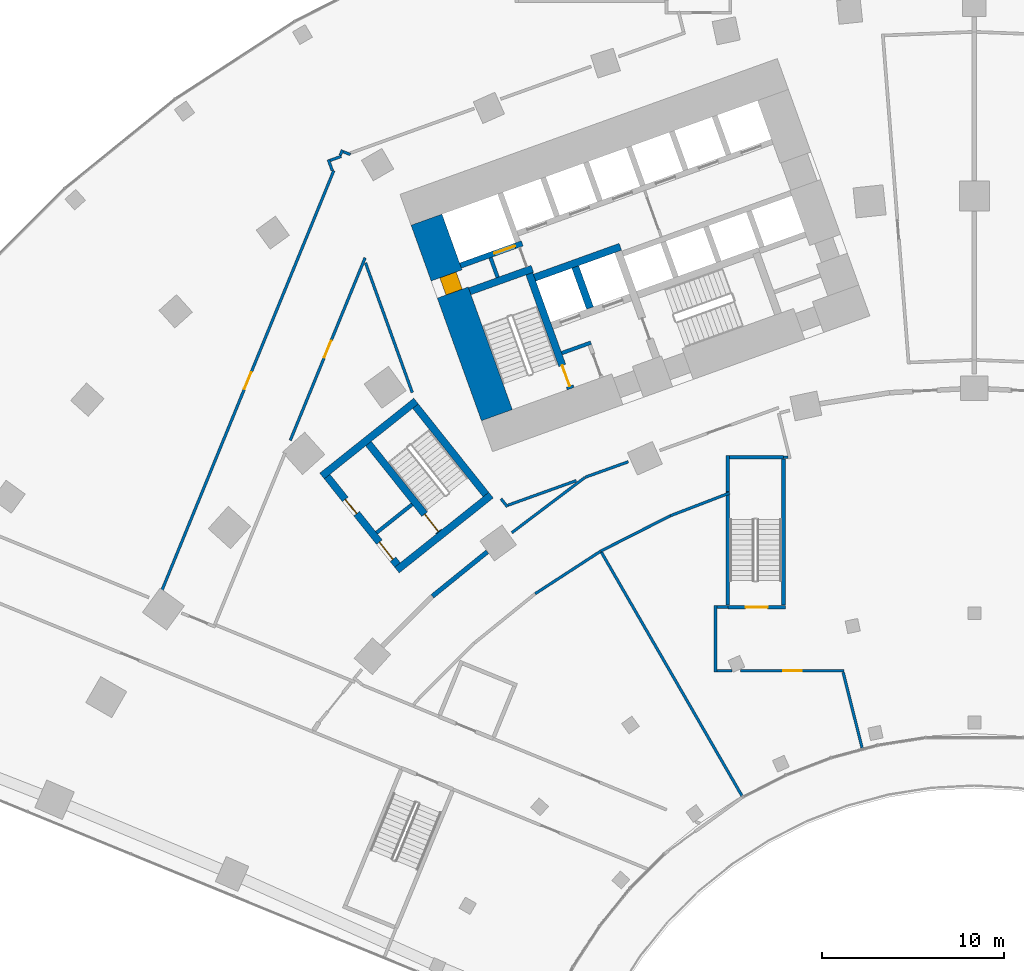
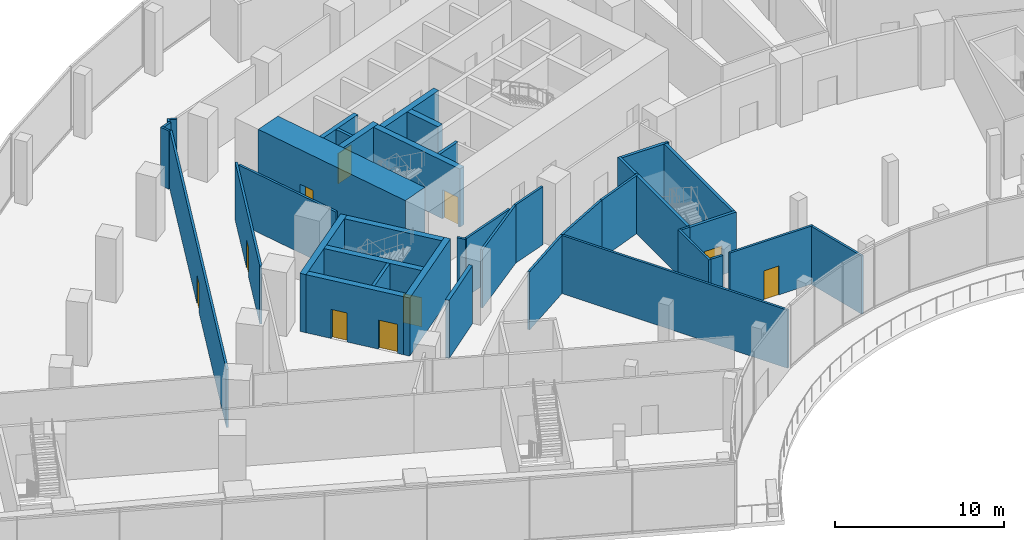
# One storey, part 22 of 39: 41 walls, 10 doors, 10 openings.
"""IFC4 building model written with IfcOpenShell, lengths in metres."""

import ifcopenshell
import ifcopenshell.guid

model = None  # the IFC model being written
_history = None  # IfcOwnerHistory: only IFC2X3 demands one
_inside = {}  # id of a spatial element -> (the spatial element, [elements in it])
_under = {}  # id of a project, library or spatial element -> (it, [spatial elements below it])
_declared = {}  # id of a project -> (the project, [libraries it declares])
_typed = {}  # id of a type object -> (the type object, [elements of that type])
_made_of = {}  # id of a material, layer set ... -> (it, [elements and type objects made of it])


def new_model(schema):
    """Start an empty IFC model of exactly this schema.

    Asked for "IFC4X3", IfcOpenShell would pick the latest addendum, in which some entities
    have other attributes; the version numbers below select the first issue.
    IFC2X3 requires an IfcOwnerHistory on every rooted entity: one is made here for all.
    """
    global model, _history
    if schema == "IFC4X3":
        model = ifcopenshell.file(schema_version=(4, 3, 0, 0))
    else:
        model = ifcopenshell.file(schema=schema)
    _inside.clear()
    _under.clear()
    _declared.clear()
    _typed.clear()
    _made_of.clear()
    _history = None
    if model.schema == "IFC2X3":
        org = make("IfcOrganization", Name="unknown")
        user = make(
            "IfcPersonAndOrganization",
            ThePerson=make("IfcPerson", FamilyName="unknown"),
            TheOrganization=org,
        )
        app = make(
            "IfcApplication",
            ApplicationDeveloper=org,
            Version="unknown",
            ApplicationFullName="unknown",
            ApplicationIdentifier="unknown",
        )
        _history = make(
            "IfcOwnerHistory",
            OwningUser=user,
            OwningApplication=app,
            ChangeAction="ADDED",
            CreationDate=0,
        )
    return model


def make(cls, **values):
    """One entity of the class cls with the attributes given. An attribute that is None is left unset."""
    return model.create_entity(
        cls, **{name: value for name, value in values.items() if value is not None}
    )


def rooted(cls, **values):
    """An entity with a GlobalId (a new one), such as an element, a storey or a relation."""
    return make(cls, GlobalId=ifcopenshell.guid.new(), OwnerHistory=_history, **values)


def si_unit(unit_type, name, prefix=None):
    """IfcSIUnit, for example si_unit("LENGTHUNIT", "METRE", prefix="MILLI")."""
    return make("IfcSIUnit", UnitType=unit_type, Prefix=prefix, Name=name)


def assignment(units):
    """IfcUnitAssignment: the units of a project."""
    return None if units is None else make("IfcUnitAssignment", Units=units)


def point(xyz):
    """IfcCartesianPoint."""
    return None if xyz is None else make("IfcCartesianPoint", Coordinates=xyz)


def direction(xyz):
    """IfcDirection."""
    return None if xyz is None else make("IfcDirection", DirectionRatios=xyz)


def frame(location, z_axis=None, x_axis=None):
    """IfcAxis2Placement3D, a coordinate frame: its origin and axes. An axis left out is left unset."""
    return make(
        "IfcAxis2Placement3D",
        Location=point(location),
        Axis=direction(z_axis),
        RefDirection=direction(x_axis),
    )


def frame_2d(location, x_axis=None):
    """IfcAxis2Placement2D, a coordinate frame in the plane: its origin and x axis."""
    return make(
        "IfcAxis2Placement2D", Location=point(location), RefDirection=direction(x_axis)
    )


def origin():
    """The frame at (0, 0, 0) with its axes left unset."""
    return frame((0.0, 0.0, 0.0))


def place(relative_to, where):
    """IfcLocalPlacement: puts the frame where relative to a parent placement (None: the world)."""
    return make(
        "IfcLocalPlacement", PlacementRelTo=relative_to, RelativePlacement=where
    )


def context(
    kind, dimensions, precision=None, world=None, true_north=None, identifier=None
):
    """IfcGeometricRepresentationContext, for example the 3D "Model" context."""
    return make(
        "IfcGeometricRepresentationContext",
        ContextIdentifier=identifier,
        ContextType=kind,
        CoordinateSpaceDimension=dimensions,
        Precision=precision,
        WorldCoordinateSystem=world,
        TrueNorth=true_north,
    )


def subcontext(parent, identifier, kind, view, scale=None):
    """IfcGeometricRepresentationSubContext, for example "Body" below "Model"."""
    return make(
        "IfcGeometricRepresentationSubContext",
        ContextIdentifier=identifier,
        ContextType=kind,
        ParentContext=parent,
        TargetScale=scale,
        TargetView=view,
    )


def project(units=None, contexts=None):
    """IfcProject with its units and contexts."""
    return rooted(
        "IfcProject",
        Name="project",
        RepresentationContexts=contexts,
        UnitsInContext=assignment(units),
    )


def spatial(cls, under=None, at=None, **own):
    """A site, building, storey or space (cls), placed at a placement, below another one or the project."""
    s = rooted(cls, ObjectPlacement=at, **own)
    if under is not None:
        _under.setdefault(under.id(), (under, []))[1].append(s)
    return s


def profile(cls, at=None, kind="AREA", **sizes):
    """A parametric profile (cls). Its sizes go by their IFC names, for example OverallWidth=200.0."""
    return make(cls, ProfileType=kind, Position=at, **sizes)


def rectangle(**sizes):
    """IfcRectangleProfileDef."""
    return profile("IfcRectangleProfileDef", **sizes)


def extrude(swept, where, along, depth):
    """IfcExtrudedAreaSolid: the profile swept, set in the frame where, extruded along a direction by depth."""
    return make(
        "IfcExtrudedAreaSolid",
        SweptArea=swept,
        Position=where,
        ExtrudedDirection=direction(along),
        Depth=depth,
    )


def shape(context_of_items, identifier, shape_type, items):
    """IfcShapeRepresentation: the items that make up one representation, for example the "Body"."""
    return make(
        "IfcShapeRepresentation",
        ContextOfItems=context_of_items,
        RepresentationIdentifier=identifier,
        RepresentationType=shape_type,
        Items=items,
    )


def material(Name=None, Category=None):
    """IfcMaterial."""
    return make("IfcMaterial", Name=Name, Category=Category)


def layer(
    of_material, thickness, ventilated=None, Name=None, Category=None, Priority=None
):
    """IfcMaterialLayer: one layer of a wall or slab, of a material (None: an air gap)."""
    return make(
        "IfcMaterialLayer",
        Material=of_material,
        LayerThickness=thickness,
        IsVentilated=ventilated,
        Name=Name,
        Category=Category,
        Priority=Priority,
    )


def layer_set(layers, Name=None):
    """IfcMaterialLayerSet."""
    return make("IfcMaterialLayerSet", MaterialLayers=layers, LayerSetName=Name)


def made_of(thing, what):
    """Note that an element or type object is made of a material, layer set ...; save() writes the relation."""
    if what is not None:
        _made_of.setdefault(what.id(), (what, []))[1].append(thing)
    return thing


def type_object(cls, material=None, **own):
    """A type object (cls), such as IfcWallType, which elements share."""
    return made_of(rooted(cls, **own), material)


def element(
    cls,
    number,
    at=None,
    inside=None,
    cuts=None,
    type_object=None,
    material=None,
    context=None,
    identifier="Body",
    shape_type=None,
    held_by="IfcProductDefinitionShape",
    body=None,
    shapes=None,
    **own,
):
    """One element of the class cls, such as IfcWall. Its Tag is "e" and its number.

    at: its placement. inside: the storey or other place that contains it. cuts: it is an
    opening in that element (IfcRelVoidsElement). A single representation is given by context,
    identifier, shape_type and body (its items); several are given by shapes. held_by: the class
    of the entity that holds the representations. save() writes the other relations.
    """
    e = rooted(cls, Tag="e%d" % number, ObjectPlacement=at, **own)
    if body is not None:
        shapes = [shape(context, identifier, shape_type, body)]
    if shapes is not None:
        e.Representation = make(held_by, Representations=shapes)
    if inside is not None:
        _inside.setdefault(inside.id(), (inside, []))[1].append(e)
    if cuts is not None:
        rooted(
            "IfcRelVoidsElement", RelatingBuildingElement=cuts, RelatedOpeningElement=e
        )
    if type_object is not None:
        _typed.setdefault(type_object.id(), (type_object, []))[1].append(e)
    return made_of(e, material)


def fill(opening, filler):
    """IfcRelFillsElement: the door or window that sits in an opening."""
    return rooted(
        "IfcRelFillsElement",
        RelatingOpeningElement=opening,
        RelatedBuildingElement=filler,
    )


def aggregate(whole, parts):
    """IfcRelAggregates: a whole, such as a stair, and the parts it consists of."""
    return rooted("IfcRelAggregates", RelatingObject=whole, RelatedObjects=parts)


def save(model, path):
    """Write the relations noted so far, then the file.

    IfcRelAggregates (storeys below a building ...), IfcRelContainedInSpatialStructure (elements
    in a storey), IfcRelDefinesByType, IfcRelAssociatesMaterial and IfcRelDeclares: one each for
    every whole, place, type object, material and project.
    """
    for whole, parts in _under.values():
        aggregate(whole, parts)
    for where, things in _inside.values():
        rooted(
            "IfcRelContainedInSpatialStructure",
            RelatedElements=things,
            RelatingStructure=where,
        )
    for kind, things in _typed.values():
        rooted("IfcRelDefinesByType", RelatedObjects=things, RelatingType=kind)
    for what, things in _made_of.values():
        rooted("IfcRelAssociatesMaterial", RelatedObjects=things, RelatingMaterial=what)
    for by, libraries in _declared.values():
        rooted("IfcRelDeclares", RelatingContext=by, RelatedDefinitions=libraries)
    model.write(path)


model = new_model("IFC4")

# Units and contexts
model_context = context("Model", 3, precision=1e-05, world=origin(), true_north=direction((0.0, 1.0)))
body_context = subcontext(model_context, "Body", "Model", "MODEL_VIEW")
ifc_project = project(units=[si_unit("LENGTHUNIT", "METRE"), si_unit("AREAUNIT", "SQUARE_METRE"), si_unit("VOLUMEUNIT", "CUBIC_METRE"), si_unit("PLANEANGLEUNIT", "RADIAN"), si_unit("MASSUNIT", "GRAM", prefix="KILO")], contexts=[model_context])

# Site, building, storey
site_placement = place(None, origin())
site = spatial("IfcSite", under=ifc_project, at=site_placement, CompositionType="ELEMENT")
building_placement = place(site_placement, origin())
building = spatial("IfcBuilding", under=site, at=building_placement, Name="Stone Belt Terrace Tower", CompositionType="ELEMENT")
storey_placement = place(building_placement, frame((0.0, 0.0, 16.199951171875)))
storey = spatial("IfcBuildingStorey", under=building, at=storey_placement, Name="L03", CompositionType="ELEMENT", Elevation=16.199951171875)

# Wall
ifc_material_1 = material(Name="Concrete B30", Category="concrete")
ifc_layer_1 = layer(ifc_material_1, 0.25)
ifc_layer_set_1 = layer_set([ifc_layer_1], Name="Compartment wall 250")
wall_type_1 = type_object("IfcWallType", Name="Compartment wall 250", PredefinedType="SOLIDWALL", material=ifc_layer_set_1)
wall_1_placement = place(storey_placement, frame((-29.73486328125, 33.0341796875, 0.0), z_axis=(0.0, 0.0, 1.0), x_axis=(0.777272744525, 0.629163794746, 0.0)))
element("IfcWall", 1, at=wall_1_placement, inside=storey, type_object=wall_type_1, Name="Compartment wall L03 3", PredefinedType="SOLIDWALL", context=body_context, shape_type="SweptSolid", body=[
    extrude(rectangle(XDim=3.875244140625, YDim=0.25, at=frame_2d((1.9375, 0.0))), origin(), (0.0, 0.0, 1.0), 4.199951171875),
])

# Wall, opening, door
ifc_material_2 = material(Name="Concrete B80", Category="concrete")
ifc_layer_2 = layer(ifc_material_2, 1.800048828125)
ifc_layer_set_2 = layer_set([ifc_layer_2], Name="Core wall 1800 B80")
wall_type_2 = type_object("IfcWallType", Name="Core wall 1800 B80", PredefinedType="SHEAR", material=ifc_layer_set_2)
wall_2_placement = place(storey_placement, frame((-26.197509765625, 42.96728515625, 0.0), z_axis=(0.0, 0.0, 1.0), x_axis=(-0.338625431531, 0.940921259788, 0.0)))
wall_2 = element("IfcWall", 2, at=wall_2_placement, inside=storey, type_object=wall_type_2, Name="Core A wall end_a L03", PredefinedType="SHEAR", context=body_context, shape_type="SweptSolid", body=[
    extrude(rectangle(XDim=11.400146484375, YDim=1.800048828125, at=frame_2d((5.7001953125, 0.0))), origin(), (0.0, 0.0, 1.0), 4.60009765625),
])
opening_1_placement = place(wall_2_placement, frame((7.150146484375, 0.0, 0.0)))
opening_1 = element("IfcOpeningElement", 3, at=opening_1_placement, cuts=wall_2, Name="Opening L03-C01", PredefinedType="OPENING", context=body_context, shape_type="SweptSolid", body=[
    extrude(rectangle(XDim=1.0, YDim=2.10009765625, at=frame_2d((0.5, 1.050048828125))), frame((0.0, 0.909912109375, 0.0), z_axis=(0.0, -1.0, 0.0), x_axis=(1.0, 0.0, 0.0)), (0.0, 0.0, 1.0), 1.820068359375),
])
ifc_material_3 = material(Name="Timber door leaf", Category="wood")
door_type_1 = type_object("IfcDoorType", Name="Core room door 1000", OperationType="SINGLE_SWING_LEFT", PredefinedType="DOOR", material=ifc_material_3)
door_1_placement = place(opening_1_placement, origin())
door_1 = element("IfcDoor", 4, at=door_1_placement, inside=storey, type_object=door_type_1, Name="Door to Telecommunications riser room core A", OperationType="SINGLE_SWING_LEFT", OverallHeight=2.10009765625, OverallWidth=1.0, PredefinedType="DOOR", context=body_context, shape_type="SweptSolid", body=[
    extrude(rectangle(XDim=1.0, YDim=2.10009765625, at=frame_2d((0.5, 1.050048828125))), frame((0.0, 0.39501953125, 0.0), z_axis=(0.0, -1.0, 0.0), x_axis=(1.0, 0.0, 0.0)), (0.0, 0.0, 1.0), 0.949951171875),
])
fill(opening_1, door_1)

# Walls
ifc_layer_3 = layer(ifc_material_2, 0.39990234375)
ifc_layer_set_3 = layer_set([ifc_layer_3], Name="Fire-fighting lift shaft wall 400")
wall_type_3 = type_object("IfcWallType", Name="Fire-fighting lift shaft wall 400", PredefinedType="SHEAR", material=ifc_layer_set_3)
wall_3_placement = place(storey_placement, frame((-24.130615234375, 50.512939453125, 0.0), z_axis=(0.0, 0.0, 1.0), x_axis=(0.94091168377, 0.338652038744, 0.0)))
element("IfcWall", 5, at=wall_3_placement, inside=storey, type_object=wall_type_3, Name="Core A wall", PredefinedType="SHEAR", context=body_context, shape_type="SweptSolid", body=[
    extrude(rectangle(XDim=5.000244140625, YDim=0.39990234375, at=frame_2d((2.5, 0.0))), origin(), (0.0, 0.0, 1.0), 4.199951171875),
])
wall_4_placement = place(storey_placement, frame((-21.0859375, 48.845458984375, 0.0), z_axis=(0.0, 0.0, 1.0), x_axis=(-0.338629416206, 0.940919825745, 0.0)))
element("IfcWall", 6, at=wall_4_placement, inside=storey, type_object=wall_type_3, Name="Core A wall", PredefinedType="SHEAR", context=body_context, shape_type="SweptSolid", body=[
    extrude(rectangle(XDim=2.400146484375, YDim=0.39990234375, at=frame_2d((1.2001953125, 0.0))), origin(), (0.0, 0.0, 1.0), 4.199951171875),
])

# Wall, opening, door
ifc_layer_4 = layer(ifc_material_2, 0.300048828125)
ifc_layer_set_4 = layer_set([ifc_layer_4], Name="Lift shaft wall 300")
wall_type_4 = type_object("IfcWallType", Name="Lift shaft wall 300", PredefinedType="SHEAR", material=ifc_layer_set_4)
wall_5_placement = place(storey_placement, frame((-28.195068359375, 51.17578125, 0.0), z_axis=(0.0, 0.0, 1.0), x_axis=(0.940901243567, 0.338681044427, 0.0)))
wall_5 = element("IfcWall", 7, at=wall_5_placement, inside=storey, type_object=wall_type_4, Name="Core A wall", PredefinedType="SHEAR", context=body_context, shape_type="SweptSolid", body=[
    extrude(rectangle(XDim=3.599853515625, YDim=0.300048828125, at=frame_2d((1.7998046875, 0.0))), origin(), (0.0, 0.0, 1.0), 4.199951171875),
])
opening_2_placement = place(wall_5_placement, frame((1.969970703125, 0.0, 0.0)))
opening_2 = element("IfcOpeningElement", 8, at=opening_2_placement, cuts=wall_5, Name="Opening L03-LD09", PredefinedType="OPENING", context=body_context, shape_type="SweptSolid", body=[
    extrude(rectangle(XDim=1.199951171875, YDim=2.199951171875, at=frame_2d((0.60009765625, 1.10009765625))), frame((0.0, 0.159912109375, 0.0), z_axis=(0.0, -1.0, 0.0), x_axis=(1.0, 0.0, 0.0)), (0.0, 0.0, 1.0), 0.320068359375),
])
ifc_material_4 = material(Name="Stainless steel door leaf", Category="steel")
door_type_2 = type_object("IfcDoorType", Name="Landing door 1200", OperationType="SLIDING_TO_LEFT", PredefinedType="DOOR", material=ifc_material_4)
door_2_placement = place(opening_2_placement, origin())
door_2 = element("IfcDoor", 9, at=door_2_placement, inside=storey, type_object=door_type_2, Name="Landing door SV1 core A", OperationType="SLIDING_TO_LEFT", OverallHeight=2.199951171875, OverallWidth=1.199951171875, PredefinedType="DOOR", context=body_context, shape_type="SweptSolid", body=[
    extrude(rectangle(XDim=1.199951171875, YDim=2.199951171875, at=frame_2d((0.60009765625, 1.10009765625))), frame((0.0, 0.02490234375, 0.0), z_axis=(0.0, -1.0, 0.0), x_axis=(1.0, 0.0, 0.0)), (0.0, 0.0, 1.0), 0.050048828125),
])
fill(opening_2, door_2)

ifc_material_5 = material(Name="Gypsum board on steel stud partition", Category="steel")
ifc_layer_5 = layer(ifc_material_5, 0.14990234375)
ifc_layer_set_5 = layer_set([ifc_layer_5], Name="Podium partition 150")
wall_type_5 = type_object("IfcWallType", Name="Podium partition 150", PredefinedType="PARTITIONING", material=ifc_layer_set_5)
wall_6_placement = place(storey_placement, frame((-44.58056640625, 33.3447265625, 0.0), z_axis=(0.0, 0.0, 1.0), x_axis=(0.378900890803, 0.925437256084, 0.0)))
wall_6 = element("IfcWall", 10, at=wall_6_placement, inside=storey, type_object=wall_type_5, Name="Podium partition 150", PredefinedType="PARTITIONING", context=body_context, shape_type="SweptSolid", body=[
    extrude(rectangle(XDim=24.895263671875, YDim=0.14990234375, at=frame_2d((12.44775390625, 0.0))), origin(), (0.0, 0.0, 1.0), 4.199951171875),
])
opening_3_placement = place(wall_6_placement, frame((11.94775390625, 0.0, 0.0)))
opening_3 = element("IfcOpeningElement", 11, at=opening_3_placement, cuts=wall_6, Name="Opening L03-P27", PredefinedType="OPENING", context=body_context, shape_type="SweptSolid", body=[
    extrude(rectangle(XDim=1.0, YDim=2.10009765625, at=frame_2d((0.5, 1.050048828125))), frame((0.0, 0.0849609375, 0.0), z_axis=(0.0, -1.0, 0.0), x_axis=(1.0, 0.0, 0.0)), (0.0, 0.0, 1.0), 0.169921875),
])
ifc_material_6 = material(Name="Steel framed door leaf", Category="steel")
door_type_3 = type_object("IfcDoorType", Name="Podium door single 1000", OperationType="SINGLE_SWING_LEFT", PredefinedType="DOOR", material=ifc_material_6)
door_3_placement = place(opening_3_placement, origin())
door_3 = element("IfcDoor", 12, at=door_3_placement, inside=storey, type_object=door_type_3, Name="Podium door single 1000", OperationType="SINGLE_SWING_LEFT", OverallHeight=2.10009765625, OverallWidth=1.0, PredefinedType="DOOR", context=body_context, shape_type="SweptSolid", body=[
    extrude(rectangle(XDim=1.0, YDim=2.10009765625, at=frame_2d((0.5, 1.050048828125))), frame((0.0, 0.02490234375, 0.0), z_axis=(0.0, -1.0, 0.0), x_axis=(1.0, 0.0, 0.0)), (0.0, 0.0, 1.0), 0.050048828125),
])
fill(opening_3, door_3)

wall_7_placement = place(storey_placement, frame((-37.53515625, 41.58251953125, 0.0), z_axis=(0.0, 0.0, 1.0), x_axis=(0.379278787713, 0.925282444009, 0.0)))
wall_7 = element("IfcWall", 13, at=wall_7_placement, inside=storey, type_object=wall_type_5, Name="Podium partition 150", PredefinedType="PARTITIONING", context=body_context, shape_type="SweptSolid", body=[
    extrude(rectangle(XDim=10.830322265625, YDim=0.14990234375, at=frame_2d((5.4150390625, 0.0))), origin(), (0.0, 0.0, 1.0), 4.199951171875),
])
opening_4_placement = place(wall_7_placement, frame((4.9150390625, 0.0, 0.0)))
opening_4 = element("IfcOpeningElement", 14, at=opening_4_placement, cuts=wall_7, Name="Opening L03-P28", PredefinedType="OPENING", context=body_context, shape_type="SweptSolid", body=[
    extrude(rectangle(XDim=1.0, YDim=2.10009765625, at=frame_2d((0.5, 1.050048828125))), frame((0.0, 0.0849609375, 0.0), z_axis=(0.0, -1.0, 0.0), x_axis=(1.0, 0.0, 0.0)), (0.0, 0.0, 1.0), 0.169921875),
])
door_4_placement = place(opening_4_placement, origin())
door_4 = element("IfcDoor", 15, at=door_4_placement, inside=storey, type_object=door_type_3, Name="Podium door single 1000", OperationType="SINGLE_SWING_RIGHT", OverallHeight=2.10009765625, OverallWidth=1.0, PredefinedType="DOOR", context=body_context, shape_type="SweptSolid", body=[
    extrude(rectangle(XDim=1.0, YDim=2.10009765625, at=frame_2d((0.5, 1.050048828125))), frame((0.0, 0.02490234375, 0.0), z_axis=(0.0, -1.0, 0.0), x_axis=(1.0, 0.0, 0.0)), (0.0, 0.0, 1.0), 0.050048828125),
])
fill(opening_4, door_4)

# Walls
wall_8_placement = place(storey_placement, frame((-35.4453125, 56.990478515625, 0.0), z_axis=(0.0, 0.0, 1.0), x_axis=(0.338356368575, -0.941018048629, 0.0)))
element("IfcWall", 16, at=wall_8_placement, inside=storey, type_object=wall_type_5, Name="Podium partition 150", PredefinedType="PARTITIONING", context=body_context, shape_type="SweptSolid", body=[
    extrude(rectangle(XDim=0.642822265625, YDim=0.14990234375, at=frame_2d((0.3212890625, 0.0))), origin(), (0.0, 0.0, 1.0), 4.199951171875),
])
wall_9_placement = place(storey_placement, frame((-35.349609375, 56.945556640625, 0.0), z_axis=(0.0, 0.0, 1.0), x_axis=(0.940278374132, 0.340406491037, 0.0)))
element("IfcWall", 17, at=wall_9_placement, inside=storey, type_object=wall_type_5, Name="Podium partition 150", PredefinedType="PARTITIONING", context=body_context, shape_type="SweptSolid", body=[
    extrude(rectangle(XDim=0.6455078125, YDim=0.14990234375, at=frame_2d((0.32275390625, 0.0))), origin(), (0.0, 0.0, 1.0), 4.199951171875),
])
wall_10_placement = place(storey_placement, frame((-34.798583984375, 57.224853515625, 0.0), z_axis=(0.0, 0.0, 1.0), x_axis=(0.400978485899, 0.916087470631, 0.0)))
element("IfcWall", 18, at=wall_10_placement, inside=storey, type_object=wall_type_5, Name="Podium partition 150", PredefinedType="PARTITIONING", context=body_context, shape_type="SweptSolid", body=[
    extrude(rectangle(XDim=0.32080078125, YDim=0.14990234375, at=frame_2d((0.160400390625, 0.0))), origin(), (0.0, 0.0, 1.0), 4.199951171875),
])
wall_11_placement = place(storey_placement, frame((-34.6298828125, 57.4228515625, 0.0), z_axis=(0.0, 0.0, 1.0), x_axis=(0.931918492074, -0.362667787556, 0.0)))
element("IfcWall", 19, at=wall_11_placement, inside=storey, type_object=wall_type_5, Name="Podium partition 150", PredefinedType="PARTITIONING", context=body_context, shape_type="SweptSolid", body=[
    extrude(rectangle(XDim=0.425537109375, YDim=0.14990234375, at=frame_2d((0.212890625, 0.0))), origin(), (0.0, 0.0, 1.0), 4.199951171875),
])
wall_12_placement = place(storey_placement, frame((-33.404296875, 51.317626953125, 0.0), z_axis=(0.0, 0.0, 1.0), x_axis=(0.339357821351, -0.940657360088, 0.0)))
element("IfcWall", 20, at=wall_12_placement, inside=storey, type_object=wall_type_5, Name="Podium partition 150", PredefinedType="PARTITIONING", context=body_context, shape_type="SweptSolid", body=[
    extrude(rectangle(XDim=7.55615234375, YDim=0.14990234375, at=frame_2d((3.778076171875, 0.0))), origin(), (0.0, 0.0, 1.0), 4.199951171875),
])
wall_13_placement = place(storey_placement, frame((-25.382080078125, 36.517578125, 0.0), z_axis=(0.0, 0.0, 1.0), x_axis=(0.797751599212, 0.602986223685, 0.0)))
element("IfcWall", 21, at=wall_13_placement, inside=storey, type_object=wall_type_5, Name="Podium partition 150", PredefinedType="PARTITIONING", context=body_context, shape_type="SweptSolid", body=[
    extrude(rectangle(XDim=5.029052734375, YDim=0.14990234375, at=frame_2d((2.5146484375, 0.0))), origin(), (0.0, 0.0, 1.0), 4.199951171875),
])
wall_14_placement = place(storey_placement, frame((-25.969970703125, 38.3798828125, 0.0), z_axis=(0.0, 0.0, 1.0), x_axis=(0.61965834818, -0.784871665644, 0.0)))
element("IfcWall", 22, at=wall_14_placement, inside=storey, type_object=wall_type_5, Name="Podium partition 150", PredefinedType="PARTITIONING", context=body_context, shape_type="SweptSolid", body=[
    extrude(rectangle(XDim=0.56298828125, YDim=0.14990234375, at=frame_2d((0.281494140625, 0.0))), origin(), (0.0, 0.0, 1.0), 4.199951171875),
])
wall_15_placement = place(storey_placement, frame((-25.595703125, 38.02685546875, 0.0), z_axis=(0.0, 0.0, 1.0), x_axis=(0.941004387967, 0.338394358444, 0.0)))
element("IfcWall", 23, at=wall_15_placement, inside=storey, type_object=wall_type_5, Name="Podium partition 150", PredefinedType="PARTITIONING", context=body_context, shape_type="SweptSolid", body=[
    extrude(rectangle(XDim=3.989013671875, YDim=0.14990234375, at=frame_2d((1.99462890625, 0.0))), origin(), (0.0, 0.0, 1.0), 4.199951171875),
])
wall_16_placement = place(storey_placement, frame((-24.0966796875, 33.172119140625, 0.0), z_axis=(0.0, 0.0, 1.0), x_axis=(0.838435807072, 0.545000364605, 0.0)))
element("IfcWall", 24, at=wall_16_placement, inside=storey, type_object=wall_type_5, Name="Podium partition 150", PredefinedType="PARTITIONING", context=body_context, shape_type="SweptSolid", body=[
    extrude(rectangle(XDim=4.28564453125, YDim=0.14990234375, at=frame_2d((2.142822265625, 0.0))), origin(), (0.0, 0.0, 1.0), 4.199951171875),
])
wall_17_placement = place(storey_placement, frame((-21.352294921875, 39.5634765625, 0.0), z_axis=(0.0, 0.0, 1.0), x_axis=(0.9411225476, 0.338065600733, 0.0)))
element("IfcWall", 25, at=wall_17_placement, inside=storey, type_object=wall_type_5, Name="Podium partition 150", PredefinedType="PARTITIONING", context=body_context, shape_type="SweptSolid", body=[
    extrude(rectangle(XDim=2.512451171875, YDim=0.14990234375, at=frame_2d((1.25634765625, 0.0))), origin(), (0.0, 0.0, 1.0), 4.199951171875),
])
wall_18_placement = place(storey_placement, frame((-20.496337890625, 35.51171875, 0.0), z_axis=(0.0, 0.0, 1.0), x_axis=(0.891589112903, 0.452845286774, 0.0)))
element("IfcWall", 26, at=wall_18_placement, inside=storey, type_object=wall_type_5, Name="Podium partition 150", PredefinedType="PARTITIONING", context=body_context, shape_type="SweptSolid", body=[
    extrude(rectangle(XDim=4.2763671875, YDim=0.14990234375, at=frame_2d((2.13818359375, 0.0))), origin(), (0.0, 0.0, 1.0), 4.199951171875),
])
wall_19_placement = place(storey_placement, frame((-20.46240234375, 35.44482421875, 0.0), z_axis=(0.0, 0.0, 1.0), x_axis=(0.499818330954, -0.866130265054, 0.0)))
element("IfcWall", 27, at=wall_19_placement, inside=storey, type_object=wall_type_5, Name="Podium partition 150", PredefinedType="PARTITIONING", context=body_context, shape_type="SweptSolid", body=[
    extrude(rectangle(XDim=15.430419921875, YDim=0.14990234375, at=frame_2d((7.71533203125, 0.0))), origin(), (0.0, 0.0, 1.0), 4.199951171875),
])
wall_20_placement = place(storey_placement, frame((-16.676513671875, 37.451416015625, 0.0), z_axis=(0.0, 0.0, 1.0), x_axis=(0.933501113387, 0.358574498961, 0.0)))
element("IfcWall", 28, at=wall_20_placement, inside=storey, type_object=wall_type_5, Name="Podium partition 150", PredefinedType="PARTITIONING", context=body_context, shape_type="SweptSolid", body=[
    extrude(rectangle(XDim=3.477783203125, YDim=0.14990234375, at=frame_2d((1.73876953125, 0.0))), origin(), (0.0, 0.0, 1.0), 4.199951171875),
])
wall_21_placement = place(storey_placement, frame((-14.199951171875, 28.864990234375, 0.0), z_axis=(0.0, 0.0, 1.0), x_axis=(0.0, 1.0, 0.0)))
element("IfcWall", 29, at=wall_21_placement, inside=storey, type_object=wall_type_5, Name="Podium partition 150", PredefinedType="PARTITIONING", context=body_context, shape_type="SweptSolid", body=[
    extrude(rectangle(XDim=3.64990234375, YDim=0.14990234375, at=frame_2d((1.824951171875, 0.0))), origin(), (0.0, 0.0, 1.0), 4.199951171875),
])
wall_22_placement = place(storey_placement, frame((-14.125, 28.93994140625, 0.0), z_axis=(0.0, 0.0, 1.0), x_axis=(1.0, 0.0, 0.0)))
element("IfcWall", 30, at=wall_22_placement, inside=storey, type_object=wall_type_5, Name="Podium partition 150", PredefinedType="PARTITIONING", context=body_context, shape_type="SweptSolid", body=[
    extrude(rectangle(XDim=0.83544921875, YDim=0.14990234375, at=frame_2d((0.417724609375, 0.0))), origin(), (0.0, 0.0, 1.0), 4.199951171875),
])

# Wall, opening, door
wall_23_placement = place(storey_placement, frame((-12.822998046875, 28.93994140625, 0.0), z_axis=(0.0, 0.0, 1.0), x_axis=(1.0, 0.0, 0.0)))
wall_23 = element("IfcWall", 31, at=wall_23_placement, inside=storey, type_object=wall_type_5, Name="Podium partition 150", PredefinedType="PARTITIONING", context=body_context, shape_type="SweptSolid", body=[
    extrude(rectangle(XDim=5.680419921875, YDim=0.14990234375, at=frame_2d((2.84033203125, 0.0))), origin(), (0.0, 0.0, 1.0), 4.199951171875),
])
opening_5_placement = place(wall_23_placement, frame((2.340087890625, 0.0, 0.0)))
opening_5 = element("IfcOpeningElement", 32, at=opening_5_placement, cuts=wall_23, Name="Opening L03-P26", PredefinedType="OPENING", context=body_context, shape_type="SweptSolid", body=[
    extrude(rectangle(XDim=1.0, YDim=2.10009765625, at=frame_2d((0.5, 1.050048828125))), frame((0.0, 0.0849609375, 0.0), z_axis=(0.0, -1.0, 0.0), x_axis=(1.0, 0.0, 0.0)), (0.0, 0.0, 1.0), 0.169921875),
])
door_5_placement = place(opening_5_placement, origin())
door_5 = element("IfcDoor", 33, at=door_5_placement, inside=storey, type_object=door_type_3, Name="Podium door single 1000", OperationType="SINGLE_SWING_RIGHT", OverallHeight=2.10009765625, OverallWidth=1.0, PredefinedType="DOOR", context=body_context, shape_type="SweptSolid", body=[
    extrude(rectangle(XDim=1.0, YDim=2.10009765625, at=frame_2d((0.5, 1.050048828125))), frame((0.0, 0.02490234375, 0.0), z_axis=(0.0, -1.0, 0.0), x_axis=(1.0, 0.0, 0.0)), (0.0, 0.0, 1.0), 0.050048828125),
])
fill(opening_5, door_5)

# Walls
wall_24_placement = place(storey_placement, frame((-14.125, 32.43994140625, 0.0), z_axis=(0.0, 0.0, 1.0), x_axis=(1.0, 0.0, 0.0)))
element("IfcWall", 34, at=wall_24_placement, inside=storey, type_object=wall_type_5, Name="Podium partition 150", PredefinedType="PARTITIONING", context=body_context, shape_type="SweptSolid", body=[
    extrude(rectangle(XDim=0.594970703125, YDim=0.14990234375, at=frame_2d((0.29736328125, 0.0))), origin(), (0.0, 0.0, 1.0), 4.199951171875),
])
wall_25_placement = place(storey_placement, frame((-10.469970703125, 40.659912109375, 0.0), z_axis=(0.0, 0.0, 1.0), x_axis=(1.0, 0.0, 0.0)))
element("IfcWall", 35, at=wall_25_placement, inside=storey, type_object=wall_type_5, Name="Podium partition 150", PredefinedType="PARTITIONING", context=body_context, shape_type="SweptSolid", body=[
    extrude(rectangle(XDim=0.234619140625, YDim=0.14990234375, at=frame_2d((0.1171875, 0.0))), origin(), (0.0, 0.0, 1.0), 4.199951171875),
])
wall_26_placement = place(storey_placement, frame((-7.201171875, 28.864990234375, 0.0), z_axis=(0.0, 0.0, 1.0), x_axis=(0.243085424157, -0.970004884814, 0.0)))
element("IfcWall", 36, at=wall_26_placement, inside=storey, type_object=wall_type_5, Name="Podium partition 150", PredefinedType="PARTITIONING", context=body_context, shape_type="SweptSolid", body=[
    extrude(rectangle(XDim=4.283447265625, YDim=0.14990234375, at=frame_2d((2.1416015625, 0.0))), origin(), (0.0, 0.0, 1.0), 4.199951171875),
])
ifc_layer_6 = layer(ifc_material_1, 0.199951171875)
ifc_layer_set_6 = layer_set([ifc_layer_6], Name="Podium stair and shaft wall 200")
wall_type_6 = type_object("IfcWallType", Name="Podium stair and shaft wall 200", PredefinedType="SOLIDWALL", material=ifc_layer_set_6)
wall_27_placement = place(storey_placement, frame((-13.530029296875, 32.5400390625, 0.0), z_axis=(0.0, 0.0, 1.0), x_axis=(0.0, 1.0, 0.0)))
element("IfcWall", 37, at=wall_27_placement, inside=storey, type_object=wall_type_6, Name="Podium stair and shaft wall 200", PredefinedType="SOLIDWALL", context=body_context, shape_type="SweptSolid", body=[
    extrude(rectangle(XDim=6.228271484375, YDim=0.199951171875, at=frame_2d((3.1142578125, 0.0))), origin(), (0.0, 0.0, 1.0), 4.199951171875),
])

# Wall, opening, door
wall_28_placement = place(storey_placement, frame((-13.530029296875, 32.43994140625, 0.0), z_axis=(0.0, 0.0, 1.0), x_axis=(1.0, 0.0, 0.0)))
wall_28 = element("IfcWall", 38, at=wall_28_placement, inside=storey, type_object=wall_type_6, Name="Podium stair and shaft wall 200", PredefinedType="SOLIDWALL", context=body_context, shape_type="SweptSolid", body=[
    extrude(rectangle(XDim=3.159912109375, YDim=0.199951171875, at=frame_2d((1.580078125, 0.0))), origin(), (0.0, 0.0, 1.0), 4.199951171875),
])
opening_6_placement = place(wall_28_placement, frame((0.97998046875, 0.0, 0.0)))
opening_6 = element("IfcOpeningElement", 39, at=opening_6_placement, cuts=wall_28, Name="Opening L03-P05", PredefinedType="OPENING", context=body_context, shape_type="SweptSolid", body=[
    extrude(rectangle(XDim=1.199951171875, YDim=2.10009765625, at=frame_2d((0.60009765625, 1.050048828125))), frame((0.0, 0.10986328125, 0.0), z_axis=(0.0, -1.0, 0.0), x_axis=(1.0, 0.0, 0.0)), (0.0, 0.0, 1.0), 0.219970703125),
])
door_type_4 = type_object("IfcDoorType", Name="Podium door fire stair 1200", OperationType="SINGLE_SWING_LEFT", PredefinedType="DOOR", material=ifc_material_6)
door_6_placement = place(opening_6_placement, origin())
door_6 = element("IfcDoor", 40, at=door_6_placement, inside=storey, type_object=door_type_4, Name="Podium door fire stair 1200", OperationType="SINGLE_SWING_LEFT", OverallHeight=2.10009765625, OverallWidth=1.199951171875, PredefinedType="DOOR", context=body_context, shape_type="SweptSolid", body=[
    extrude(rectangle(XDim=1.199951171875, YDim=2.10009765625, at=frame_2d((0.60009765625, 1.050048828125))), frame((0.0, 0.02490234375, 0.0), z_axis=(0.0, -1.0, 0.0), x_axis=(1.0, 0.0, 0.0)), (0.0, 0.0, 1.0), 0.050048828125),
])
fill(opening_6, door_6)

# Walls
wall_29_placement = place(storey_placement, frame((-13.530029296875, 38.768310546875, 0.0), z_axis=(0.0, 0.0, 1.0), x_axis=(0.0, 1.0, 0.0)))
element("IfcWall", 41, at=wall_29_placement, inside=storey, type_object=wall_type_6, Name="Podium stair and shaft wall 200", PredefinedType="SOLIDWALL", context=body_context, shape_type="SweptSolid", body=[
    extrude(rectangle(XDim=1.99169921875, YDim=0.199951171875, at=frame_2d((0.995849609375, 0.0))), origin(), (0.0, 0.0, 1.0), 4.199951171875),
])
wall_30_placement = place(storey_placement, frame((-13.429931640625, 40.659912109375, 0.0), z_axis=(0.0, 0.0, 1.0), x_axis=(1.0, 0.0, 0.0)))
element("IfcWall", 42, at=wall_30_placement, inside=storey, type_object=wall_type_6, Name="Podium stair and shaft wall 200", PredefinedType="SOLIDWALL", context=body_context, shape_type="SweptSolid", body=[
    extrude(rectangle(XDim=2.9599609375, YDim=0.199951171875, at=frame_2d((1.47998046875, 0.0))), origin(), (0.0, 0.0, 1.0), 4.199951171875),
])
wall_31_placement = place(storey_placement, frame((-10.469970703125, 32.5400390625, 0.0), z_axis=(0.0, 0.0, 1.0), x_axis=(0.0, 1.0, 0.0)))
element("IfcWall", 43, at=wall_31_placement, inside=storey, type_object=wall_type_6, Name="Podium stair and shaft wall 200", PredefinedType="SOLIDWALL", context=body_context, shape_type="SweptSolid", body=[
    extrude(rectangle(XDim=8.02001953125, YDim=0.199951171875, at=frame_2d((4.010009765625, 0.0))), origin(), (0.0, 0.0, 1.0), 4.199951171875),
])
ifc_material_7 = material(Name="Concrete masonry block", Category="masonry")
ifc_layer_7 = layer(ifc_material_7, 0.199951171875)
ifc_layer_set_7 = layer_set([ifc_layer_7], Name="Rated lobby wall 200")
wall_type_7 = type_object("IfcWallType", Name="Rated lobby wall 200", PredefinedType="PARTITIONING", material=ifc_layer_set_7)
wall_32_placement = place(storey_placement, frame((-26.1552734375, 50.5283203125, 0.0), z_axis=(0.0, 0.0, 1.0), x_axis=(-0.338621735342, 0.94092258999, 0.0)))
element("IfcWall", 44, at=wall_32_placement, inside=storey, type_object=wall_type_7, Name="Core A wall", PredefinedType="PARTITIONING", context=body_context, shape_type="SweptSolid", body=[
    extrude(rectangle(XDim=1.14990234375, YDim=0.199951171875, at=frame_2d((0.574951171875, 0.0))), origin(), (0.0, 0.0, 1.0), 4.199951171875),
])
wall_33_placement = place(storey_placement, frame((-22.640625, 46.373046875, 0.0), z_axis=(0.0, 0.0, 1.0), x_axis=(0.940966110313, 0.338500781747, 0.0)))
element("IfcWall", 45, at=wall_33_placement, inside=storey, type_object=wall_type_7, Name="Core A wall", PredefinedType="PARTITIONING", context=body_context, shape_type="SweptSolid", body=[
    extrude(rectangle(XDim=1.699951171875, YDim=0.199951171875, at=frame_2d((0.85009765625, 0.0))), origin(), (0.0, 0.0, 1.0), 4.199951171875),
])
wall_34_placement = place(storey_placement, frame((-30.845703125, 38.074951171875, 0.0), z_axis=(0.0, 0.0, 1.0), x_axis=(-0.782115323833, -0.623133709749, 0.0)))
element("IfcWall", 46, at=wall_34_placement, inside=storey, type_object=wall_type_7, Name="Exit stair ST3A wall", PredefinedType="PARTITIONING", context=body_context, shape_type="SweptSolid", body=[
    extrude(rectangle(XDim=2.5, YDim=0.199951171875, at=frame_2d((1.25, 0.0))), origin(), (0.0, 0.0, 1.0), 4.199951171875),
])
ifc_layer_8 = layer(ifc_material_2, 0.39990234375)
ifc_layer_set_8 = layer_set([ifc_layer_8], Name="Stair enclosure wall 400")
wall_type_8 = type_object("IfcWallType", Name="Stair enclosure wall 400", PredefinedType="SHEAR", material=ifc_layer_set_8)
wall_35_placement = place(storey_placement, frame((-27.687255859375, 49.764404296875, 0.0), z_axis=(0.0, 0.0, 1.0), x_axis=(0.940918954884, 0.338631835981, 0.0)))
element("IfcWall", 47, at=wall_35_placement, inside=storey, type_object=wall_type_8, Name="Core A wall", PredefinedType="SHEAR", context=body_context, shape_type="SweptSolid", body=[
    extrude(rectangle(XDim=3.650146484375, YDim=0.39990234375, at=frame_2d((1.8251953125, 0.0))), origin(), (0.0, 0.0, 1.0), 4.199951171875),
])

# Wall, opening, door
wall_36_placement = place(storey_placement, frame((-22.151611328125, 44.42333984375, 0.0), z_axis=(0.0, 0.0, 1.0), x_axis=(-0.338625272931, 0.940921316866, 0.0)))
wall_36 = element("IfcWall", 48, at=wall_36_placement, inside=storey, type_object=wall_type_8, Name="Core A wall", PredefinedType="SHEAR", context=body_context, shape_type="SweptSolid", body=[
    extrude(rectangle(XDim=6.699951171875, YDim=0.39990234375, at=frame_2d((3.35009765625, 0.0))), origin(), (0.0, 0.0, 1.0), 4.199951171875),
])
opening_7_placement = place(wall_36_placement, frame((0.14990234375, 0.0, 0.0)))
opening_7 = element("IfcOpeningElement", 49, at=opening_7_placement, cuts=wall_36, Name="Opening L03-C05", PredefinedType="OPENING", context=body_context, shape_type="SweptSolid", body=[
    extrude(rectangle(XDim=1.199951171875, YDim=2.10009765625, at=frame_2d((0.60009765625, 1.050048828125))), frame((0.0, 0.2099609375, 0.0), z_axis=(0.0, -1.0, 0.0), x_axis=(1.0, 0.0, 0.0)), (0.0, 0.0, 1.0), 0.419921875),
])
ifc_material_8 = material(Name="Steel door leaf", Category="steel")
door_type_5 = type_object("IfcDoorType", Name="Stair door 1200", OperationType="SINGLE_SWING_LEFT", PredefinedType="DOOR", material=ifc_material_8)
door_7_placement = place(opening_7_placement, origin())
door_7 = element("IfcDoor", 50, at=door_7_placement, inside=storey, type_object=door_type_5, Name="Stair 1 door core A", OperationType="SINGLE_SWING_RIGHT", OverallHeight=2.10009765625, OverallWidth=1.199951171875, PredefinedType="DOOR", context=body_context, shape_type="SweptSolid", body=[
    extrude(rectangle(XDim=1.199951171875, YDim=2.10009765625, at=frame_2d((0.60009765625, 1.050048828125))), frame((0.0, 0.02490234375, 0.0), z_axis=(0.0, -1.0, 0.0), x_axis=(1.0, 0.0, 0.0)), (0.0, 0.0, 1.0), 0.050048828125),
])
fill(opening_7, door_7)

# Walls
for number, where, z_axis, x_axis, name in (
    (51, (-26.518798828125, 38.58154296875, 0.0), (0.0, 0.0, 1.0), (-0.782133914161, -0.623110375711, 0.0), "Exit stair ST3A wall"),
    (52, (-30.63134765625, 43.74365234375, 0.0), (0.0, 0.0, 1.0), (-0.782133914161, -0.623110375711, 0.0), "Exit stair ST3A wall"),
):
    element("IfcWall", number, at=place(storey_placement, frame(where, z_axis=z_axis, x_axis=x_axis)), inside=storey, type_object=wall_type_8, Name=name, PredefinedType="SHEAR", context=body_context, shape_type="SweptSolid", body=[
        extrude(rectangle(XDim=6.60009765625, YDim=0.39990234375, at=frame_2d((3.300048828125, 0.0))), origin(), (0.0, 0.0, 1.0), 4.199951171875),
    ])
wall_37_placement = place(storey_placement, frame((-26.7998046875, 38.61328125, 0.0), z_axis=(0.0, 0.0, 1.0), x_axis=(-0.623118653668, 0.782127319208, 0.0)))
element("IfcWall", 53, at=wall_37_placement, inside=storey, type_object=wall_type_8, Name="Exit stair ST3A wall", PredefinedType="SHEAR", context=body_context, shape_type="SweptSolid", body=[
    extrude(rectangle(XDim=6.199951171875, YDim=0.39990234375, at=frame_2d((3.10009765625, 0.0))), origin(), (0.0, 0.0, 1.0), 4.199951171875),
])

# Wall, openings, doors
wall_38_placement = place(storey_placement, frame((-31.64892578125, 34.75, 0.0), z_axis=(0.0, 0.0, 1.0), x_axis=(-0.623118653668, 0.782127319208, 0.0)))
wall_38 = element("IfcWall", 54, at=wall_38_placement, inside=storey, type_object=wall_type_8, Name="Exit stair ST3A wall", PredefinedType="SHEAR", context=body_context, shape_type="SweptSolid", body=[
    extrude(rectangle(XDim=6.199951171875, YDim=0.39990234375, at=frame_2d((3.10009765625, 0.0))), origin(), (0.0, 0.0, 1.0), 4.199951171875),
])
opening_8_placement = place(wall_38_placement, frame((0.39990234375, 0.0, 0.0)))
opening_8 = element("IfcOpeningElement", 55, at=opening_8_placement, cuts=wall_38, Name="Opening L03-C24", PredefinedType="OPENING", context=body_context, shape_type="SweptSolid", body=[
    extrude(rectangle(XDim=1.199951171875, YDim=2.10009765625, at=frame_2d((0.60009765625, 1.050048828125))), frame((0.0, 0.2099609375, 0.0), z_axis=(0.0, -1.0, 0.0), x_axis=(1.0, 0.0, 0.0)), (0.0, 0.0, 1.0), 0.419921875),
])
opening_9_placement = place(wall_38_placement, frame((3.60009765625, 0.0, 0.0)))
opening_9 = element("IfcOpeningElement", 56, at=opening_9_placement, cuts=wall_38, Name="Opening L03-C25", PredefinedType="OPENING", context=body_context, shape_type="SweptSolid", body=[
    extrude(rectangle(XDim=1.0, YDim=2.10009765625, at=frame_2d((0.5, 1.050048828125))), frame((0.0, 0.2099609375, 0.0), z_axis=(0.0, -1.0, 0.0), x_axis=(1.0, 0.0, 0.0)), (0.0, 0.0, 1.0), 0.419921875),
])
door_8_placement = place(opening_9_placement, origin())
door_8 = element("IfcDoor", 57, at=door_8_placement, inside=storey, type_object=door_type_1, Name="Door to stair pressurisation plant room ST3A", OperationType="SINGLE_SWING_LEFT", OverallHeight=2.10009765625, OverallWidth=1.0, PredefinedType="DOOR", context=body_context, shape_type="SweptSolid", body=[
    extrude(rectangle(XDim=1.0, YDim=2.10009765625, at=frame_2d((0.5, 1.050048828125))), frame((0.0, 0.02490234375, 0.0), z_axis=(0.0, -1.0, 0.0), x_axis=(1.0, 0.0, 0.0)), (0.0, 0.0, 1.0), 0.050048828125),
])
fill(opening_9, door_8)
door_type_6 = type_object("IfcDoorType", Name="Stair airlock door 1200", OperationType="SINGLE_SWING_LEFT", PredefinedType="DOOR", material=ifc_material_8)
door_9_placement = place(opening_8_placement, origin())
door_9 = element("IfcDoor", 58, at=door_9_placement, inside=storey, type_object=door_type_6, Name="Stair airlock door ST3A", OperationType="SINGLE_SWING_LEFT", OverallHeight=2.10009765625, OverallWidth=1.199951171875, PredefinedType="DOOR", context=body_context, shape_type="SweptSolid", body=[
    extrude(rectangle(XDim=1.199951171875, YDim=2.10009765625, at=frame_2d((0.60009765625, 1.050048828125))), frame((0.0, 0.02490234375, 0.0), z_axis=(0.0, -1.0, 0.0), x_axis=(1.0, 0.0, 0.0)), (0.0, 0.0, 1.0), 0.050048828125),
])
fill(opening_8, door_9)

# Wall, opening, door
wall_39_placement = place(storey_placement, frame((-29.380859375, 36.556884765625, 0.0), z_axis=(0.0, 0.0, 1.0), x_axis=(-0.623099462847, 0.782142608097, 0.0)))
wall_39 = element("IfcWall", 59, at=wall_39_placement, inside=storey, type_object=wall_type_8, Name="Exit stair ST3A wall", PredefinedType="SHEAR", context=body_context, shape_type="SweptSolid", body=[
    extrude(rectangle(XDim=6.2001953125, YDim=0.39990234375, at=frame_2d((3.10009765625, 0.0))), origin(), (0.0, 0.0, 1.0), 4.199951171875),
])
opening_10_placement = place(wall_39_placement, frame((0.050048828125, 0.0, 0.0)))
opening_10 = element("IfcOpeningElement", 60, at=opening_10_placement, cuts=wall_39, Name="Opening L03-C23", PredefinedType="OPENING", context=body_context, shape_type="SweptSolid", body=[
    extrude(rectangle(XDim=1.199951171875, YDim=2.10009765625, at=frame_2d((0.60009765625, 1.050048828125))), frame((0.0, 0.2099609375, 0.0), z_axis=(0.0, -1.0, 0.0), x_axis=(1.0, 0.0, 0.0)), (0.0, 0.0, 1.0), 0.419921875),
])
door_10_placement = place(opening_10_placement, origin())
door_10 = element("IfcDoor", 61, at=door_10_placement, inside=storey, type_object=door_type_5, Name="Stair door ST3A", OperationType="SINGLE_SWING_RIGHT", OverallHeight=2.10009765625, OverallWidth=1.199951171875, PredefinedType="DOOR", context=body_context, shape_type="SweptSolid", body=[
    extrude(rectangle(XDim=1.199951171875, YDim=2.10009765625, at=frame_2d((0.60009765625, 1.050048828125))), frame((0.0, 0.02490234375, 0.0), z_axis=(0.0, -1.0, 0.0), x_axis=(1.0, 0.0, 0.0)), (0.0, 0.0, 1.0), 0.050048828125),
])
fill(opening_10, door_10)

save(model, "model.ifc")
